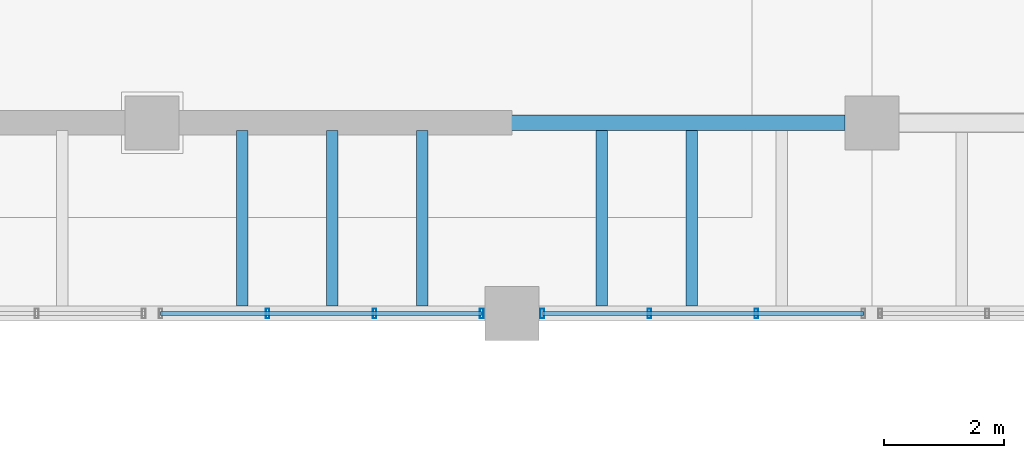
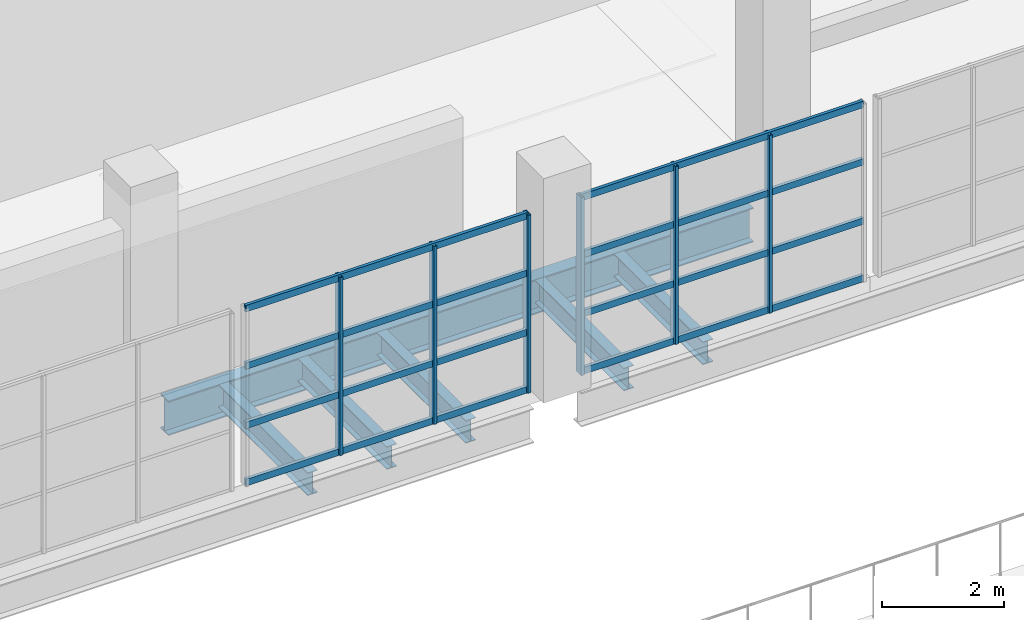
# One storey, part 41 of 78: 14 members, 6 beams, 2 elements without a shape of their own.
"""IFC4 building model written with IfcOpenShell, lengths in metres."""

import ifcopenshell
import ifcopenshell.guid

model = None  # the IFC model being written
_history = None  # IfcOwnerHistory: only IFC2X3 demands one
_inside = {}  # id of a spatial element -> (the spatial element, [elements in it])
_under = {}  # id of a project, library or spatial element -> (it, [spatial elements below it])
_declared = {}  # id of a project -> (the project, [libraries it declares])
_typed = {}  # id of a type object -> (the type object, [elements of that type])
_made_of = {}  # id of a material, layer set ... -> (it, [elements and type objects made of it])


def new_model(schema):
    """Start an empty IFC model of exactly this schema.

    Asked for "IFC4X3", IfcOpenShell would pick the latest addendum, in which some entities
    have other attributes; the version numbers below select the first issue.
    IFC2X3 requires an IfcOwnerHistory on every rooted entity: one is made here for all.
    """
    global model, _history
    if schema == "IFC4X3":
        model = ifcopenshell.file(schema_version=(4, 3, 0, 0))
    else:
        model = ifcopenshell.file(schema=schema)
    _inside.clear()
    _under.clear()
    _declared.clear()
    _typed.clear()
    _made_of.clear()
    _history = None
    if model.schema == "IFC2X3":
        org = make("IfcOrganization", Name="unknown")
        user = make(
            "IfcPersonAndOrganization",
            ThePerson=make("IfcPerson", FamilyName="unknown"),
            TheOrganization=org,
        )
        app = make(
            "IfcApplication",
            ApplicationDeveloper=org,
            Version="unknown",
            ApplicationFullName="unknown",
            ApplicationIdentifier="unknown",
        )
        _history = make(
            "IfcOwnerHistory",
            OwningUser=user,
            OwningApplication=app,
            ChangeAction="ADDED",
            CreationDate=0,
        )
    return model


def make(cls, **values):
    """One entity of the class cls with the attributes given. An attribute that is None is left unset."""
    return model.create_entity(
        cls, **{name: value for name, value in values.items() if value is not None}
    )


def rooted(cls, **values):
    """An entity with a GlobalId (a new one), such as an element, a storey or a relation."""
    return make(cls, GlobalId=ifcopenshell.guid.new(), OwnerHistory=_history, **values)


def si_unit(unit_type, name, prefix=None):
    """IfcSIUnit, for example si_unit("LENGTHUNIT", "METRE", prefix="MILLI")."""
    return make("IfcSIUnit", UnitType=unit_type, Prefix=prefix, Name=name)


def assignment(units):
    """IfcUnitAssignment: the units of a project."""
    return None if units is None else make("IfcUnitAssignment", Units=units)


def point(xyz):
    """IfcCartesianPoint."""
    return None if xyz is None else make("IfcCartesianPoint", Coordinates=xyz)


def direction(xyz):
    """IfcDirection."""
    return None if xyz is None else make("IfcDirection", DirectionRatios=xyz)


def frame(location, z_axis=None, x_axis=None):
    """IfcAxis2Placement3D, a coordinate frame: its origin and axes. An axis left out is left unset."""
    return make(
        "IfcAxis2Placement3D",
        Location=point(location),
        Axis=direction(z_axis),
        RefDirection=direction(x_axis),
    )


def frame_2d(location, x_axis=None):
    """IfcAxis2Placement2D, a coordinate frame in the plane: its origin and x axis."""
    return make(
        "IfcAxis2Placement2D", Location=point(location), RefDirection=direction(x_axis)
    )


def origin():
    """The frame at (0, 0, 0) with its axes left unset."""
    return frame((0.0, 0.0, 0.0))


def origin_2d():
    """The frame at (0, 0) in the plane with its x axis left unset."""
    return frame_2d((0.0, 0.0))


def place(relative_to, where):
    """IfcLocalPlacement: puts the frame where relative to a parent placement (None: the world)."""
    return make(
        "IfcLocalPlacement", PlacementRelTo=relative_to, RelativePlacement=where
    )


def context(
    kind, dimensions, precision=None, world=None, true_north=None, identifier=None
):
    """IfcGeometricRepresentationContext, for example the 3D "Model" context."""
    return make(
        "IfcGeometricRepresentationContext",
        ContextIdentifier=identifier,
        ContextType=kind,
        CoordinateSpaceDimension=dimensions,
        Precision=precision,
        WorldCoordinateSystem=world,
        TrueNorth=true_north,
    )


def subcontext(parent, identifier, kind, view, scale=None):
    """IfcGeometricRepresentationSubContext, for example "Body" below "Model"."""
    return make(
        "IfcGeometricRepresentationSubContext",
        ContextIdentifier=identifier,
        ContextType=kind,
        ParentContext=parent,
        TargetScale=scale,
        TargetView=view,
    )


def project(units=None, contexts=None):
    """IfcProject with its units and contexts."""
    return rooted(
        "IfcProject",
        Name="project",
        RepresentationContexts=contexts,
        UnitsInContext=assignment(units),
    )


def spatial(cls, under=None, at=None, **own):
    """A site, building, storey or space (cls), placed at a placement, below another one or the project."""
    s = rooted(cls, ObjectPlacement=at, **own)
    if under is not None:
        _under.setdefault(under.id(), (under, []))[1].append(s)
    return s


def profile(cls, at=None, kind="AREA", **sizes):
    """A parametric profile (cls). Its sizes go by their IFC names, for example OverallWidth=200.0."""
    return make(cls, ProfileType=kind, Position=at, **sizes)


def hollow_rectangle(**sizes):
    """IfcRectangleHollowProfileDef."""
    return profile("IfcRectangleHollowProfileDef", **sizes)


def i_section(**sizes):
    """IfcIShapeProfileDef."""
    return profile("IfcIShapeProfileDef", **sizes)


def extrude(swept, where, along, depth):
    """IfcExtrudedAreaSolid: the profile swept, set in the frame where, extruded along a direction by depth."""
    return make(
        "IfcExtrudedAreaSolid",
        SweptArea=swept,
        Position=where,
        ExtrudedDirection=direction(along),
        Depth=depth,
    )


def shape(context_of_items, identifier, shape_type, items):
    """IfcShapeRepresentation: the items that make up one representation, for example the "Body"."""
    return make(
        "IfcShapeRepresentation",
        ContextOfItems=context_of_items,
        RepresentationIdentifier=identifier,
        RepresentationType=shape_type,
        Items=items,
    )


def material(Name=None, Category=None):
    """IfcMaterial."""
    return make("IfcMaterial", Name=Name, Category=Category)


def material_profile(
    of_material, cross_section, Name=None, Category=None, Priority=None
):
    """IfcMaterialProfile: a cross section and its material."""
    return make(
        "IfcMaterialProfile",
        Name=Name,
        Material=of_material,
        Profile=cross_section,
        Priority=Priority,
        Category=Category,
    )


def profile_set(profiles, Name=None, composite=None):
    """IfcMaterialProfileSet."""
    return make(
        "IfcMaterialProfileSet",
        Name=Name,
        MaterialProfiles=profiles,
        CompositeProfile=composite,
    )


def made_of(thing, what):
    """Note that an element or type object is made of a material, layer set ...; save() writes the relation."""
    if what is not None:
        _made_of.setdefault(what.id(), (what, []))[1].append(thing)
    return thing


def type_object(cls, material=None, **own):
    """A type object (cls), such as IfcWallType, which elements share."""
    return made_of(rooted(cls, **own), material)


def element(
    cls,
    number,
    at=None,
    inside=None,
    cuts=None,
    type_object=None,
    material=None,
    context=None,
    identifier="Body",
    shape_type=None,
    held_by="IfcProductDefinitionShape",
    body=None,
    shapes=None,
    **own,
):
    """One element of the class cls, such as IfcWall. Its Tag is "e" and its number.

    at: its placement. inside: the storey or other place that contains it. cuts: it is an
    opening in that element (IfcRelVoidsElement). A single representation is given by context,
    identifier, shape_type and body (its items); several are given by shapes. held_by: the class
    of the entity that holds the representations. save() writes the other relations.
    """
    e = rooted(cls, Tag="e%d" % number, ObjectPlacement=at, **own)
    if body is not None:
        shapes = [shape(context, identifier, shape_type, body)]
    if shapes is not None:
        e.Representation = make(held_by, Representations=shapes)
    if inside is not None:
        _inside.setdefault(inside.id(), (inside, []))[1].append(e)
    if cuts is not None:
        rooted(
            "IfcRelVoidsElement", RelatingBuildingElement=cuts, RelatedOpeningElement=e
        )
    if type_object is not None:
        _typed.setdefault(type_object.id(), (type_object, []))[1].append(e)
    return made_of(e, material)


def aggregate(whole, parts):
    """IfcRelAggregates: a whole, such as a stair, and the parts it consists of."""
    return rooted("IfcRelAggregates", RelatingObject=whole, RelatedObjects=parts)


def save(model, path):
    """Write the relations noted so far, then the file.

    IfcRelAggregates (storeys below a building ...), IfcRelContainedInSpatialStructure (elements
    in a storey), IfcRelDefinesByType, IfcRelAssociatesMaterial and IfcRelDeclares: one each for
    every whole, place, type object, material and project.
    """
    for whole, parts in _under.values():
        aggregate(whole, parts)
    for where, things in _inside.values():
        rooted(
            "IfcRelContainedInSpatialStructure",
            RelatedElements=things,
            RelatingStructure=where,
        )
    for kind, things in _typed.values():
        rooted("IfcRelDefinesByType", RelatedObjects=things, RelatingType=kind)
    for what, things in _made_of.values():
        rooted("IfcRelAssociatesMaterial", RelatedObjects=things, RelatingMaterial=what)
    for by, libraries in _declared.values():
        rooted("IfcRelDeclares", RelatingContext=by, RelatedDefinitions=libraries)
    model.write(path)


model = new_model("IFC4")

# Units and contexts
model_context = context("Model", 3, precision=1e-05, world=origin(), true_north=direction((0.0, 1.0)))
body_context = subcontext(model_context, "Body", "Model", "MODEL_VIEW")
ifc_project = project(units=[si_unit("LENGTHUNIT", "METRE"), si_unit("AREAUNIT", "SQUARE_METRE"), si_unit("VOLUMEUNIT", "CUBIC_METRE"), si_unit("PLANEANGLEUNIT", "RADIAN"), si_unit("MASSUNIT", "GRAM", prefix="KILO")], contexts=[model_context])

# Site, building, storey
site_placement = place(None, origin())
site = spatial("IfcSite", under=ifc_project, at=site_placement, CompositionType="ELEMENT")
building_placement = place(site_placement, origin())
building = spatial("IfcBuilding", under=site, at=building_placement, Name="Kelmvaro Bay Concert Hall", CompositionType="ELEMENT")
storey_placement = place(building_placement, frame((0.0, 0.0, 9.300048828125)))
storey = spatial("IfcBuildingStorey", under=building, at=storey_placement, Name="L02", CompositionType="ELEMENT", Elevation=9.300048828125)

# Beam
ifc_material_1 = material(Name="Steel ASTM A992 Grade 50", Category="steel")
ifc_material_profile_1 = material_profile(ifc_material_1, i_section(OverallWidth=0.256103515625, OverallDepth=0.693115234375, WebThickness=0.014404296875, FlangeThickness=0.023681640625, at=origin_2d()), Name="W27X114")
ifc_profile_set_1 = profile_set([ifc_material_profile_1], Name="Steel ASTM A992 Grade 50")
beam_type_1 = type_object("IfcBeamType", Name="Foyer Primary Girder W27x114", PredefinedType="BEAM", material=ifc_profile_set_1)
beam_placement = place(storey_placement, frame((30.449951171875, 68.580078125, -0.646484375), z_axis=(1.0, 0.0, 0.0), x_axis=(0.0, 1.0, 0.0)))
element("IfcBeam", 1, at=beam_placement, inside=storey, type_object=beam_type_1, Name="L02 Girder BM-L02-EW-0760", PredefinedType="BEAM", context=body_context, shape_type="SweptSolid", body=[
    extrude(i_section(OverallWidth=0.256103515625, OverallDepth=0.693115234375, WebThickness=0.014404296875, FlangeThickness=0.023681640625, at=origin_2d()), origin(), (0.0, 0.0, 1.0), 11.10009765625),
])

# Curtain wall, members
ifc_material_2 = material(Name="Anodised Aluminium and Low-E Insulated Glazing", Category="aluminium")
curtain_wall_type = type_object("IfcCurtainWallType", Name="Symphony South Gallery Curtain Wall 3920", PredefinedType="USERDEFINED", material=ifc_material_2)
curtain_wall_1_placement = place(storey_placement, origin())
curtain_wall_1 = element("IfcCurtainWall", 2, at=curtain_wall_1_placement, inside=storey, type_object=curtain_wall_type, Name="Unitised Curtain Wall CW-L02-015", ObjectType="UNITISED GLAZING", PredefinedType="USERDEFINED")
ifc_material_3 = material(Name="Anodised Extruded Aluminium 6063-T6", Category="aluminium")
ifc_material_profile_2 = material_profile(ifc_material_3, hollow_rectangle(XDim=0.06005859375, YDim=0.1650390625, WallThickness=0.00390625, at=origin_2d()), Name="ALU-MUL-165X60")
ifc_profile_set_2 = profile_set([ifc_material_profile_2], Name="Anodised Extruded Aluminium 6063-T6")
member_type_1 = type_object("IfcMemberType", Name="Gallery Mullion ALU 165x60", PredefinedType="MULLION", material=ifc_profile_set_2)
member_1_placement = place(storey_placement, frame((35.4951171875, 65.39990234375, 0.0), z_axis=(0.0, 0.0, 1.0), x_axis=(1.0, 0.0, 0.0)))
member_1 = element("IfcMember", 3, at=member_1_placement, type_object=member_type_1, Name="CW-L02-015 Mullion 01", PredefinedType="MULLION", context=body_context, shape_type="SweptSolid", body=[
    extrude(hollow_rectangle(XDim=0.06005859375, YDim=0.1650390625, WallThickness=0.00390625, at=origin_2d()), origin(), (0.0, 0.0, 1.0), 3.56884765625),
])
member_2_placement = place(storey_placement, frame((33.7099609375, 65.39990234375, 0.0), z_axis=(0.0, 0.0, 1.0), x_axis=(1.0, 0.0, 0.0)))
member_2 = element("IfcMember", 4, at=member_2_placement, type_object=member_type_1, Name="CW-L02-015 Mullion 02", PredefinedType="MULLION", context=body_context, shape_type="SweptSolid", body=[
    extrude(hollow_rectangle(XDim=0.06005859375, YDim=0.1650390625, WallThickness=0.00390625, at=origin_2d()), origin(), (0.0, 0.0, 1.0), 3.56884765625),
])
member_3_placement = place(storey_placement, frame((31.925048828125, 65.39990234375, 0.0), z_axis=(0.0, 0.0, 1.0), x_axis=(1.0, 0.0, 0.0)))
member_3 = element("IfcMember", 5, at=member_3_placement, type_object=member_type_1, Name="CW-L02-015 Mullion 03", PredefinedType="MULLION", context=body_context, shape_type="SweptSolid", body=[
    extrude(hollow_rectangle(XDim=0.06005859375, YDim=0.1650390625, WallThickness=0.00390625, at=origin_2d()), origin(), (0.0, 0.0, 1.0), 3.56884765625),
])

curtain_wall_2_placement = place(storey_placement, origin())
curtain_wall_2 = element("IfcCurtainWall", 6, at=curtain_wall_2_placement, inside=storey, type_object=curtain_wall_type, Name="Unitised Curtain Wall CW-L02-016", ObjectType="UNITISED GLAZING", PredefinedType="USERDEFINED")
member_4_placement = place(storey_placement, frame((40.074951171875, 65.39990234375, 0.0), z_axis=(0.0, 0.0, 1.0), x_axis=(1.0, 0.0, 0.0)))
member_4 = element("IfcMember", 7, at=member_4_placement, type_object=member_type_1, Name="CW-L02-016 Mullion 02", PredefinedType="MULLION", context=body_context, shape_type="SweptSolid", body=[
    extrude(hollow_rectangle(XDim=0.06005859375, YDim=0.1650390625, WallThickness=0.00390625, at=origin_2d()), origin(), (0.0, 0.0, 1.0), 3.56884765625),
])
member_5_placement = place(storey_placement, frame((38.2900390625, 65.39990234375, 0.0), z_axis=(0.0, 0.0, 1.0), x_axis=(1.0, 0.0, 0.0)))
member_5 = element("IfcMember", 8, at=member_5_placement, type_object=member_type_1, Name="CW-L02-016 Mullion 03", PredefinedType="MULLION", context=body_context, shape_type="SweptSolid", body=[
    extrude(hollow_rectangle(XDim=0.06005859375, YDim=0.1650390625, WallThickness=0.00390625, at=origin_2d()), origin(), (0.0, 0.0, 1.0), 3.56884765625),
])
member_6_placement = place(storey_placement, frame((36.5048828125, 65.39990234375, 0.0), z_axis=(0.0, 0.0, 1.0), x_axis=(1.0, 0.0, 0.0)))
member_6 = element("IfcMember", 9, at=member_6_placement, type_object=member_type_1, Name="CW-L02-016 Mullion 04", PredefinedType="MULLION", context=body_context, shape_type="SweptSolid", body=[
    extrude(hollow_rectangle(XDim=0.06005859375, YDim=0.1650390625, WallThickness=0.00390625, at=origin_2d()), origin(), (0.0, 0.0, 1.0), 3.56884765625),
])

# Member
ifc_material_4 = material(Name="Anodised Extruded Aluminium 6063-T6", Category="aluminium")
ifc_material_profile_3 = material_profile(ifc_material_4, hollow_rectangle(XDim=0.06005859375, YDim=0.135009765625, WallThickness=0.00390625, at=origin_2d()), Name="ALU-TRN-135X60")
ifc_profile_set_3 = profile_set([ifc_material_profile_3], Name="Anodised Extruded Aluminium 6063-T6")
member_type_2 = type_object("IfcMemberType", Name="Gallery Transom ALU 135x60", PredefinedType="USERDEFINED", material=ifc_profile_set_3)
member_7_placement = place(storey_placement, frame((35.4951171875, 65.39990234375, 0.0400390625), z_axis=(-1.0, 0.0, 0.0), x_axis=(0.0, -1.0, 0.0)))
member_7 = element("IfcMember", 10, at=member_7_placement, type_object=member_type_2, Name="CW-L02-015 Transom 01", ObjectType="TRANSOM", PredefinedType="USERDEFINED", context=body_context, shape_type="SweptSolid", body=[
    extrude(hollow_rectangle(XDim=0.06005859375, YDim=0.135009765625, WallThickness=0.00390625, at=origin_2d()), origin(), (0.0, 0.0, 1.0), 5.355224609375),
])

member_8_placement = place(storey_placement, frame((35.4951171875, 65.39990234375, 1.189697265625), z_axis=(-1.0, 0.0, 0.0), x_axis=(0.0, -1.0, 0.0)))
member_8 = element("IfcMember", 11, at=member_8_placement, type_object=member_type_2, Name="CW-L02-015 Transom 02", ObjectType="TRANSOM", PredefinedType="USERDEFINED", context=body_context, shape_type="SweptSolid", body=[
    extrude(hollow_rectangle(XDim=0.06005859375, YDim=0.135009765625, WallThickness=0.00390625, at=origin_2d()), origin(), (0.0, 0.0, 1.0), 5.355224609375),
])

member_9_placement = place(storey_placement, frame((35.4951171875, 65.39990234375, 2.379150390625), z_axis=(-1.0, 0.0, 0.0), x_axis=(0.0, -1.0, 0.0)))
member_9 = element("IfcMember", 12, at=member_9_placement, type_object=member_type_2, Name="CW-L02-015 Transom 03", ObjectType="TRANSOM", PredefinedType="USERDEFINED", context=body_context, shape_type="SweptSolid", body=[
    extrude(hollow_rectangle(XDim=0.06005859375, YDim=0.135009765625, WallThickness=0.00390625, at=origin_2d()), origin(), (0.0, 0.0, 1.0), 5.355224609375),
])

member_10_placement = place(storey_placement, frame((35.4951171875, 65.39990234375, 3.529052734375), z_axis=(-1.0, 0.0, 0.0), x_axis=(0.0, -1.0, 0.0)))
member_10 = element("IfcMember", 13, at=member_10_placement, type_object=member_type_2, Name="CW-L02-015 Transom 04", ObjectType="TRANSOM", PredefinedType="USERDEFINED", context=body_context, shape_type="SweptSolid", body=[
    extrude(hollow_rectangle(XDim=0.06005859375, YDim=0.135009765625, WallThickness=0.00390625, at=origin_2d()), origin(), (0.0, 0.0, 1.0), 5.355224609375),
])

aggregate(curtain_wall_1, [member_1, member_2, member_3, member_7, member_8, member_9, member_10])

member_11_placement = place(storey_placement, frame((41.860107421875, 65.39990234375, 0.0400390625), z_axis=(-1.0, 0.0, 0.0), x_axis=(0.0, -1.0, 0.0)))
member_11 = element("IfcMember", 14, at=member_11_placement, type_object=member_type_2, Name="CW-L02-016 Transom 01", ObjectType="TRANSOM", PredefinedType="USERDEFINED", context=body_context, shape_type="SweptSolid", body=[
    extrude(hollow_rectangle(XDim=0.06005859375, YDim=0.135009765625, WallThickness=0.00390625, at=origin_2d()), origin(), (0.0, 0.0, 1.0), 5.355224609375),
])

member_12_placement = place(storey_placement, frame((41.860107421875, 65.39990234375, 1.189697265625), z_axis=(-1.0, 0.0, 0.0), x_axis=(0.0, -1.0, 0.0)))
member_12 = element("IfcMember", 15, at=member_12_placement, type_object=member_type_2, Name="CW-L02-016 Transom 02", ObjectType="TRANSOM", PredefinedType="USERDEFINED", context=body_context, shape_type="SweptSolid", body=[
    extrude(hollow_rectangle(XDim=0.06005859375, YDim=0.135009765625, WallThickness=0.00390625, at=origin_2d()), origin(), (0.0, 0.0, 1.0), 5.355224609375),
])

member_13_placement = place(storey_placement, frame((41.860107421875, 65.39990234375, 2.379150390625), z_axis=(-1.0, 0.0, 0.0), x_axis=(0.0, -1.0, 0.0)))
member_13 = element("IfcMember", 16, at=member_13_placement, type_object=member_type_2, Name="CW-L02-016 Transom 03", ObjectType="TRANSOM", PredefinedType="USERDEFINED", context=body_context, shape_type="SweptSolid", body=[
    extrude(hollow_rectangle(XDim=0.06005859375, YDim=0.135009765625, WallThickness=0.00390625, at=origin_2d()), origin(), (0.0, 0.0, 1.0), 5.355224609375),
])

member_14_placement = place(storey_placement, frame((41.860107421875, 65.39990234375, 3.529052734375), z_axis=(-1.0, 0.0, 0.0), x_axis=(0.0, -1.0, 0.0)))
member_14 = element("IfcMember", 17, at=member_14_placement, type_object=member_type_2, Name="CW-L02-016 Transom 04", ObjectType="TRANSOM", PredefinedType="USERDEFINED", context=body_context, shape_type="SweptSolid", body=[
    extrude(hollow_rectangle(XDim=0.06005859375, YDim=0.135009765625, WallThickness=0.00390625, at=origin_2d()), origin(), (0.0, 0.0, 1.0), 5.355224609375),
])

aggregate(curtain_wall_2, [member_4, member_5, member_6, member_11, member_12, member_13, member_14])

# Beams
ifc_material_5 = material(Name="Steel ASTM A992 Grade 50", Category="steel")
ifc_material_profile_4 = material_profile(ifc_material_5, i_section(OverallWidth=0.19091796875, OverallDepth=0.45703125, WebThickness=0.009033203125, FlangeThickness=0.014404296875, at=origin_2d()), Name="W18X50")
ifc_profile_set_4 = profile_set([ifc_material_profile_4], Name="Steel ASTM A992 Grade 50")
beam_type_2 = type_object("IfcBeamType", Name="Standard Composite Floor Joist W18x50", PredefinedType="JOIST", material=ifc_profile_set_4)
for number, where, z_axis, x_axis, name in (
    (18, (31.5, 65.528076171875, -0.528564453125), (0.0, 1.0, 0.0), (-1.0, 0.0, 0.0), "L02 Floor Joist JST-L02-1207"),
    (19, (33.0, 65.528076171875, -0.528564453125), (0.0, 1.0, 0.0), (-1.0, 0.0, 0.0), "L02 Floor Joist JST-L02-1208"),
    (20, (34.5, 65.528076171875, -0.528564453125), (0.0, 1.0, 0.0), (-1.0, 0.0, 0.0), "L02 Floor Joist JST-L02-1209"),
    (21, (37.5, 65.528076171875, -0.528564453125), (0.0, 1.0, 0.0), (-1.0, 0.0, 0.0), "L02 Floor Joist JST-L02-1210"),
    (22, (39.0, 65.528076171875, -0.528564453125), (0.0, 1.0, 0.0), (-1.0, 0.0, 0.0), "L02 Floor Joist JST-L02-1211"),
):
    element("IfcBeam", number, at=place(storey_placement, frame(where, z_axis=z_axis, x_axis=x_axis)), inside=storey, type_object=beam_type_2, Name=name, PredefinedType="JOIST", context=body_context, shape_type="SweptSolid", body=[
        extrude(i_section(OverallWidth=0.19091796875, OverallDepth=0.45703125, WebThickness=0.009033203125, FlangeThickness=0.014404296875, at=origin_2d()), origin(), (0.0, 0.0, 1.0), 2.923828125),
    ])

save(model, "model.ifc")
